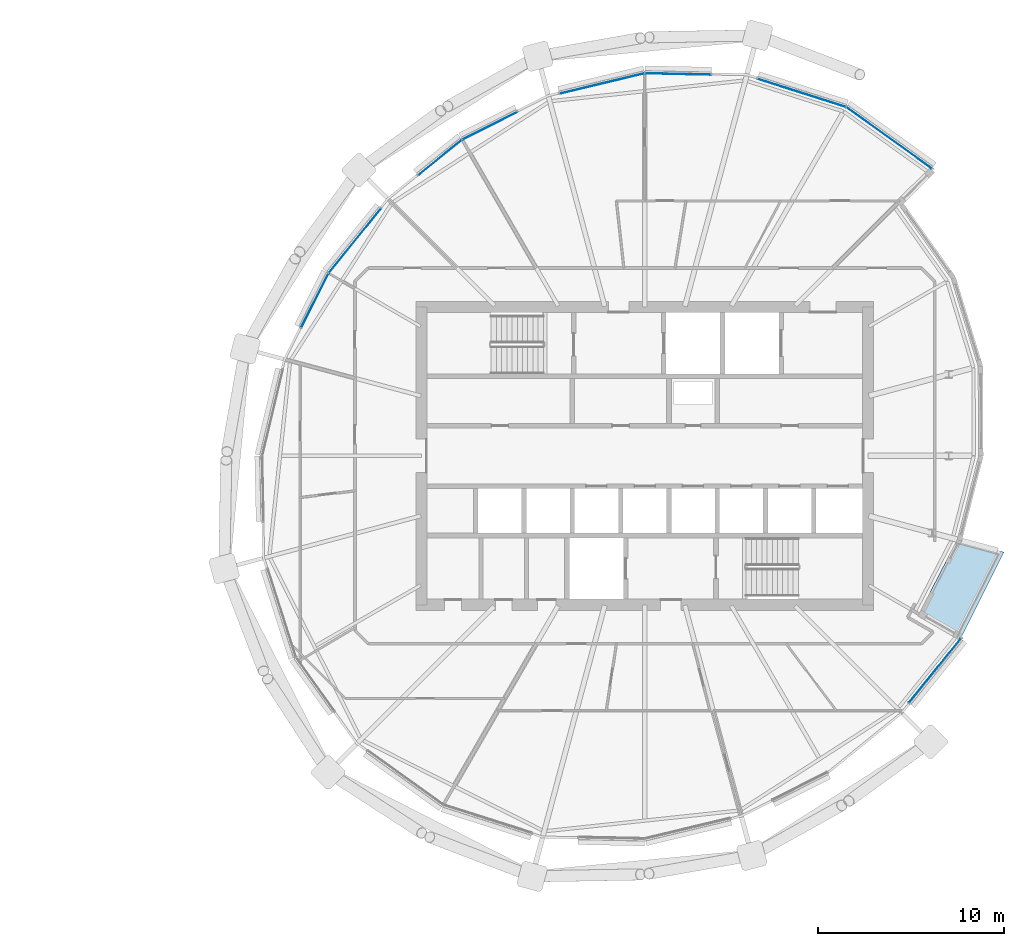
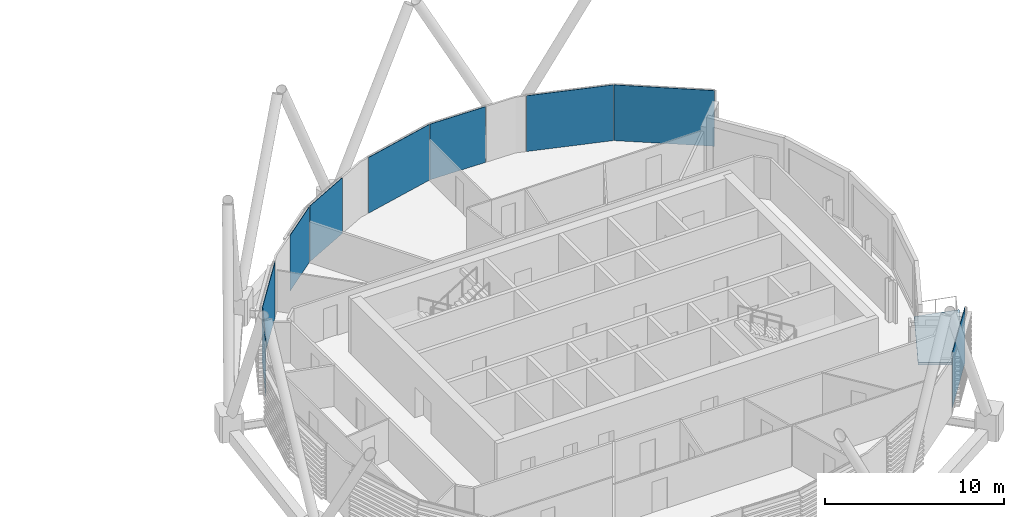
# One storey, part 21 of 35: 9 plates, 1 slab, 1 element without a shape of its own.
"""IFC4 building model written with IfcOpenShell, lengths in metres."""

from ifc_helpers import new_model, si_unit, direction, frame, origin, origin_2d, place, context, subcontext, project, spatial, polyline, rectangle, outline, extrude, material, layer, layer_set, type_object, element, aggregate, save


model = new_model("IFC4")

# Units and contexts
model_context = context("Model", 3, precision=1e-05, world=origin(), true_north=direction((0.0, 1.0)))
body_context = subcontext(model_context, "Body", "Model", "MODEL_VIEW")
ifc_project = project(units=[si_unit("LENGTHUNIT", "METRE"), si_unit("AREAUNIT", "SQUARE_METRE"), si_unit("VOLUMEUNIT", "CUBIC_METRE"), si_unit("PLANEANGLEUNIT", "RADIAN"), si_unit("MASSUNIT", "GRAM", prefix="KILO")], contexts=[model_context])

# Site, building, storey
site_placement = place(None, origin())
site = spatial("IfcSite", under=ifc_project, at=site_placement, CompositionType="ELEMENT")
building_placement = place(site_placement, origin())
building = spatial("IfcBuilding", under=site, at=building_placement, Name="Rimbun Link Towers", CompositionType="ELEMENT")
storey_placement = place(building_placement, frame((0.0, 0.0, 181.699951171875)))
storey = spatial("IfcBuildingStorey", under=building, at=storey_placement, Name="L44", CompositionType="ELEMENT", Elevation=181.699951171875)

# Curtain wall, plates
ifc_material_1 = material(Name="Aluminium 6063-T6 and low-iron glass", Category="aluminium")
curtain_wall_type = type_object("IfcCurtainWallType", Name="CW1-Z3 unitised vision wall (zone 3)", PredefinedType="NOTDEFINED", material=ifc_material_1)
curtain_wall_placement = place(storey_placement, origin())
curtain_wall = element("IfcCurtainWall", 1, at=curtain_wall_placement, inside=storey, type_object=curtain_wall_type, Name="CW1 L44 T2", PredefinedType="NOTDEFINED")
ifc_material_2 = material(Name="Low-iron glass, laminated low-e unit", Category="glass")
ifc_layer_1 = layer(ifc_material_2, 0.028076171875)
ifc_layer_set_1 = layer_set([ifc_layer_1], Name="CW1 panel Low-iron glass 28")
plate_type = type_object("IfcPlateType", Name="CW1 panel Low-iron glass 28", PredefinedType="CURTAIN_PANEL", material=ifc_layer_set_1)
plate_1_placement = place(storey_placement, frame((44.870361328125, 17.079833984375, 0.0), z_axis=(0.0, 0.0, 1.0), x_axis=(0.81246124987, -0.583015194879, 0.0)))
plate_1 = element("IfcPlate", 2, at=plate_1_placement, type_object=plate_type, Name="CW1 panel", PredefinedType="CURTAIN_PANEL", context=body_context, shape_type="SweptSolid", body=[
    extrude(rectangle(XDim=5.630126953125, YDim=0.028076171875, at=origin_2d()), origin(), (0.0, 0.0, 1.0), 3.800048828125),
])
plate_2_placement = place(storey_placement, frame((40.18017578125, 19.492431640625, 0.0), z_axis=(0.0, 0.0, 1.0), x_axis=(0.95297360206, -0.303053318374, 0.0)))
plate_2 = element("IfcPlate", 3, at=plate_2_placement, type_object=plate_type, Name="CW1 panel", PredefinedType="CURTAIN_PANEL", context=body_context, shape_type="SweptSolid", body=[
    extrude(rectangle(XDim=4.9609375, YDim=0.028076171875, at=origin_2d()), origin(), (0.0, 0.0, 1.0), 3.800048828125),
])
plate_3_placement = place(storey_placement, frame((33.5361328125, 20.510498046875, 0.0), z_axis=(0.0, 0.0, 1.0), x_axis=(0.999778017463, -0.02106930936, 0.0)))
plate_3 = element("IfcPlate", 4, at=plate_3_placement, type_object=plate_type, Name="CW1 panel", PredefinedType="CURTAIN_PANEL", context=body_context, shape_type="SweptSolid", body=[
    extrude(rectangle(XDim=3.532470703125, YDim=0.028076171875, at=origin_2d()), origin(), (0.0, 0.0, 1.0), 3.800048828125),
])
plate_4_placement = place(storey_placement, frame((29.453125, 19.999267578125, 0.0), z_axis=(0.0, 0.0, 1.0), x_axis=(0.972573434414, 0.232596033225, 0.0)))
plate_4 = element("IfcPlate", 5, at=plate_4_placement, type_object=plate_type, Name="CW1 panel", PredefinedType="CURTAIN_PANEL", context=body_context, shape_type="SweptSolid", body=[
    extrude(rectangle(XDim=4.676513671875, YDim=0.028076171875, at=origin_2d()), origin(), (0.0, 0.0, 1.0), 3.800048828125),
])
plate_5_placement = place(storey_placement, frame((23.43212890625, 17.732666015625, 0.0), z_axis=(0.0, 0.0, 1.0), x_axis=(0.893641971467, 0.448780599884, 0.0)))
plate_5 = element("IfcPlate", 6, at=plate_5_placement, type_object=plate_type, Name="CW1 panel", PredefinedType="CURTAIN_PANEL", context=body_context, shape_type="SweptSolid", body=[
    extrude(rectangle(XDim=3.28955078125, YDim=0.028076171875, at=origin_2d()), origin(), (0.0, 0.0, 1.0), 3.800048828125),
])
plate_6_placement = place(storey_placement, frame((20.756103515625, 16.024169921875, 0.0), z_axis=(0.0, 0.0, 1.0), x_axis=(0.777286873483, 0.629146339344, 0.0)))
plate_6 = element("IfcPlate", 7, at=plate_6_placement, type_object=plate_type, Name="CW1 panel", PredefinedType="CURTAIN_PANEL", context=body_context, shape_type="SweptSolid", body=[
    extrude(rectangle(XDim=3.010498046875, YDim=0.028076171875, at=origin_2d()), origin(), (0.0, 0.0, 1.0), 3.800048828125),
])
plate_7_placement = place(storey_placement, frame((16.181884765625, 11.557373046875, 0.0), z_axis=(0.0, 0.0, 1.0), x_axis=(0.629146339344, 0.777286873483, 0.0)))
plate_7 = element("IfcPlate", 8, at=plate_7_placement, type_object=plate_type, Name="CW1 panel", PredefinedType="CURTAIN_PANEL", context=body_context, shape_type="SweptSolid", body=[
    extrude(rectangle(XDim=4.46044921875, YDim=0.028076171875, at=origin_2d()), origin(), (0.0, 0.0, 1.0), 3.800048828125),
])
plate_8_placement = place(storey_placement, frame((14.028564453125, 8.34033203125, 0.0), z_axis=(0.0, 0.0, 1.0), x_axis=(0.448780599884, 0.893641971467, 0.0)))
plate_8 = element("IfcPlate", 9, at=plate_8_placement, type_object=plate_type, Name="CW1 panel", PredefinedType="CURTAIN_PANEL", context=body_context, shape_type="SweptSolid", body=[
    extrude(rectangle(XDim=3.239501953125, YDim=0.028076171875, at=origin_2d()), origin(), (0.0, 0.0, 1.0), 3.800048828125),
])
plate_9_placement = place(storey_placement, frame((47.333740234375, -11.537841796875, 0.0), z_axis=(0.0, 0.0, 1.0), x_axis=(-0.629146339344, -0.777286873483, 0.0)))
plate_9 = element("IfcPlate", 10, at=plate_9_placement, type_object=plate_type, Name="CW1 panel", PredefinedType="CURTAIN_PANEL", context=body_context, shape_type="SweptSolid", body=[
    extrude(rectangle(XDim=4.41064453125, YDim=0.028076171875, at=origin_2d()), origin(), (0.0, 0.0, 1.0), 3.800048828125),
])
aggregate(curtain_wall, [plate_1, plate_2, plate_3, plate_4, plate_5, plate_6, plate_7, plate_8, plate_9])

# Slab
ifc_material_3 = material(Name="Concrete C35/45", Category="concrete")
ifc_layer_2 = layer(ifc_material_3, 0.14990234375)
ifc_layer_set_2 = layer_set([ifc_layer_2], Name="TERRACE SLAB 150")
slab_type = type_object("IfcSlabType", Name="TERRACE SLAB 150", PredefinedType="FLOOR", material=ifc_layer_set_2)
slab_placement = place(storey_placement, frame((0.0, 0.0, -0.14990234375)))
element("IfcSlab", 11, at=slab_placement, inside=storey, type_object=slab_type, Name="Terrace slab T2 L44", PredefinedType="FLOOR", context=body_context, shape_type="SweptSolid", body=[
    extrude(outline(polyline([(46.471435546875, -8.49951171875), (48.5361328125, -4.497802734375), (51.047607421875, -5.170654296875), (48.722900390625, -9.79931640625), (46.471435546875, -8.49951171875)])), origin(), (0.0, 0.0, 1.0), 0.14990234375),
])

save(model, "model.ifc")
